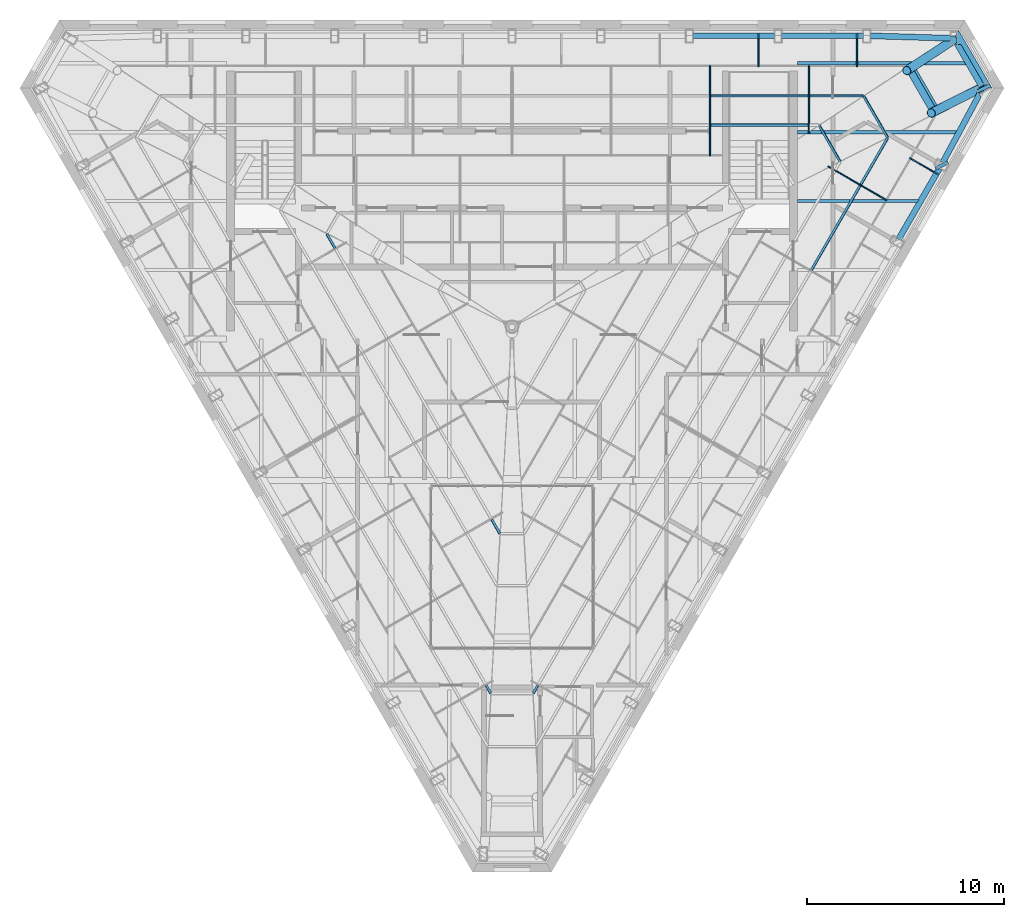
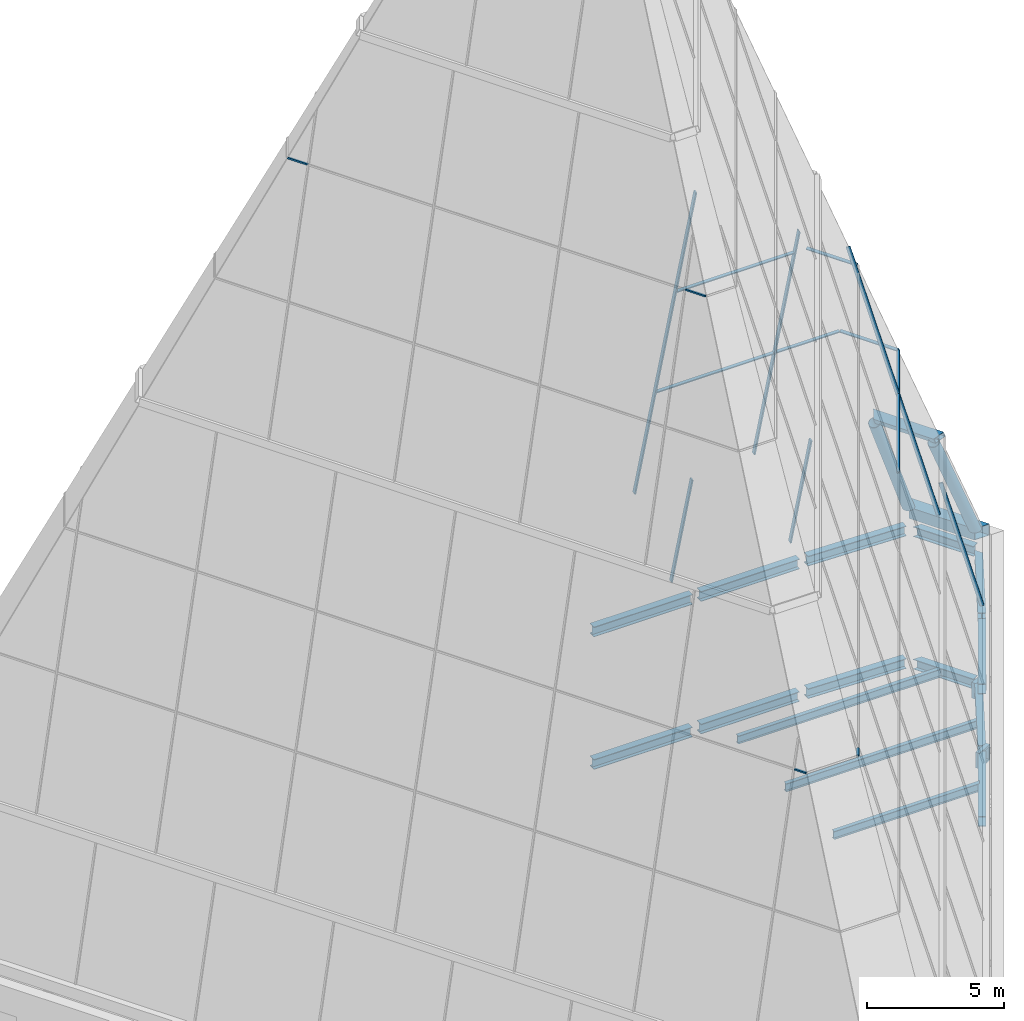
# One storey, part 23 of 36: 21 members, 17 beams, 7 elements without a shape of their own.
"""IFC4 building model written with IfcOpenShell, lengths in metres."""

from ifc_helpers import new_model, si_unit, direction, frame, origin, origin_2d, place, context, subcontext, project, spatial, rectangle, hollow_rectangle, hollow_circle, i_section, extrude, clip, halfspace, material, layer, layer_set, material_profile, profile_set, type_object, element, aggregate, save


model = new_model("IFC4")

# Units and contexts
model_context = context("Model", 3, precision=1e-05, world=origin(), true_north=direction((0.0, 1.0)))
body_context = subcontext(model_context, "Body", "Model", "MODEL_VIEW")
ifc_project = project(units=[si_unit("LENGTHUNIT", "METRE"), si_unit("AREAUNIT", "SQUARE_METRE"), si_unit("VOLUMEUNIT", "CUBIC_METRE"), si_unit("PLANEANGLEUNIT", "RADIAN"), si_unit("MASSUNIT", "GRAM", prefix="KILO")], contexts=[model_context])

# Site, building, storey
site_placement = place(None, origin())
site = spatial("IfcSite", under=ifc_project, at=site_placement, CompositionType="ELEMENT")
building_placement = place(site_placement, origin())
building = spatial("IfcBuilding", under=site, at=building_placement, Name="Njiva Tower", CompositionType="ELEMENT")
storey_placement = place(building_placement, frame((0.0, 0.0, 337.8)))
storey = spatial("IfcBuildingStorey", under=building, at=storey_placement, Name="L77", CompositionType="ELEMENT", Elevation=337.8)

# Beams
ifc_material_1 = material(Name="Steel S355 J2", Category="steel")
ifc_material_profile_1 = material_profile(ifc_material_1, hollow_rectangle(XDim=0.7, YDim=0.7, WallThickness=0.08, at=origin_2d()), Name="BOX 700x700x80")
ifc_profile_set_1 = profile_set([ifc_material_profile_1], Name="Steel S355 J2")
beam_type_1 = type_object("IfcBeamType", Name="B19 Column jog beam BOX 700x700x80", PredefinedType="BEAM", material=ifc_profile_set_1)
beam_1_placement = place(storey_placement, frame((21.875, 12.728, -0.55), z_axis=(-0.454010794093, 0.890996183408, 0.0), x_axis=(-0.890996183408, -0.454010794093, 0.0)))
element("IfcBeam", 1, at=beam_1_placement, inside=storey, type_object=beam_type_1, Name="Column jog beam CR-B033", PredefinedType="BEAM", context=body_context, shape_type="SweptSolid", body=[
    extrude(hollow_rectangle(XDim=0.7, YDim=0.7, WallThickness=0.08, at=origin_2d()), origin(), (0.0, 0.0, 1.0), 0.1762),
])
beam_2_placement = place(storey_placement, frame((23.974, 16.63, -0.55), z_axis=(-0.433646281728, 0.90108318281, 0.0), x_axis=(-0.90108318281, -0.433646281728, 0.0)))
element("IfcBeam", 2, at=beam_2_placement, inside=storey, type_object=beam_type_1, Name="Column jog beam CR-B034", PredefinedType="BEAM", context=body_context, shape_type="SweptSolid", body=[
    extrude(hollow_rectangle(XDim=0.7, YDim=0.7, WallThickness=0.08, at=origin_2d()), origin(), (0.0, 0.0, 1.0), 0.1776),
])
ifc_material_profile_2 = material_profile(ifc_material_1, i_section(OverallWidth=0.3, OverallDepth=0.44, WebThickness=0.0115, FlangeThickness=0.021, at=origin_2d()), Name="HEA 450")
ifc_profile_set_2 = profile_set([ifc_material_profile_2], Name="Steel S355 J2")
beam_type_2 = type_object("IfcBeamType", Name="B57 Short-span spandrel beam HEA 450", PredefinedType="SPANDREL", material=ifc_profile_set_2)
beam_3_placement = place(storey_placement, frame((22.277, 19.272, -0.42), z_axis=(-0.999544102072, 0.030192515853, 0.0), x_axis=(-0.030192515853, -0.999544102072, 0.0)))
element("IfcBeam", 3, at=beam_3_placement, inside=storey, type_object=beam_type_2, Name="Short-span spandrel beam CR-B116", PredefinedType="SPANDREL", context=body_context, shape_type="SweptSolid", body=[
    extrude(i_section(OverallWidth=0.3, OverallDepth=0.44, WebThickness=0.0115, FlangeThickness=0.021, at=origin_2d()), origin(), (0.0, 0.0, 1.0), 4.0739),
])
beam_4_placement = place(storey_placement, frame((17.851, 19.4, -0.42), z_axis=(-1.0, 0.0, 0.0), x_axis=(0.0, -1.0, 0.0)))
element("IfcBeam", 4, at=beam_4_placement, inside=storey, type_object=beam_type_2, Name="Short-span spandrel beam CR-B113", PredefinedType="SPANDREL", context=body_context, shape_type="SweptSolid", body=[
    extrude(i_section(OverallWidth=0.3, OverallDepth=0.44, WebThickness=0.0115, FlangeThickness=0.021, at=origin_2d()), origin(), (0.0, 0.0, 1.0), 4.156),
])
beam_5_placement = place(storey_placement, frame((13.345, 19.4, -0.42), z_axis=(-1.0, 0.0, 0.0), x_axis=(0.0, -1.0, 0.0)))
element("IfcBeam", 5, at=beam_5_placement, inside=storey, type_object=beam_type_2, Name="Short-span spandrel beam CR-B110", PredefinedType="SPANDREL", context=body_context, shape_type="SweptSolid", body=[
    extrude(i_section(OverallWidth=0.3, OverallDepth=0.44, WebThickness=0.0115, FlangeThickness=0.021, at=origin_2d()), origin(), (0.0, 0.0, 1.0), 4.157),
])
beam_6_placement = place(storey_placement, frame((19.641, 9.054, -0.42), z_axis=(0.500021003115, 0.866013277291, 0.0), x_axis=(-0.866013277291, 0.500021003115, 0.0)))
element("IfcBeam", 6, at=beam_6_placement, inside=storey, type_object=beam_type_2, Name="Short-span spandrel beam CR-B117", PredefinedType="SPANDREL", context=body_context, shape_type="SweptSolid", body=[
    extrude(i_section(OverallWidth=0.3, OverallDepth=0.44, WebThickness=0.0115, FlangeThickness=0.021, at=origin_2d()), origin(), (0.0, 0.0, 1.0), 4.1558),
])
beam_7_placement = place(storey_placement, frame((21.892, 12.962, -0.42), z_axis=(0.473796152725, 0.880634547166, 0.0), x_axis=(-0.880634547166, 0.473796152725, 0.0)))
element("IfcBeam", 7, at=beam_7_placement, inside=storey, type_object=beam_type_2, Name="Short-span spandrel beam CR-B118", PredefinedType="SPANDREL", context=body_context, shape_type="Clipping", body=[
    clip(extrude(i_section(OverallWidth=0.3, OverallDepth=0.44, WebThickness=0.0115, FlangeThickness=0.021, at=origin_2d()), origin(), (0.0, 0.0, 1.0), 4.0408), halfspace(frame((-0.0264, 0.0, 3.912), z_axis=(-0.525755767779, 0.0, 0.850635569822), x_axis=(0.0, 1.0, 0.0)), False)),
])
beam_8_placement = place(storey_placement, frame((23.864, 16.837, -0.42), z_axis=(-0.500074377092, 0.865982457891, 0.0), x_axis=(-0.865982457891, -0.500074377092, 0.0)))
element("IfcBeam", 8, at=beam_8_placement, inside=storey, type_object=beam_type_2, Name="Short-span spandrel beam CR-B119", PredefinedType="SPANDREL", context=body_context, shape_type="Clipping", body=[
    clip(extrude(i_section(OverallWidth=0.3, OverallDepth=0.44, WebThickness=0.0115, FlangeThickness=0.021, at=origin_2d()), origin(), (0.0, 0.0, 1.0), 2.5666), halfspace(frame((-0.0254, 0.0, 2.445), z_axis=(-0.500074377092, 0.0, 0.865982457891), x_axis=(0.0, 1.0, 0.0)), False)),
])
ifc_material_profile_3 = material_profile(ifc_material_1, i_section(OverallWidth=0.17, OverallDepth=0.36, WebThickness=0.008, FlangeThickness=0.0127, at=origin_2d()), Name="IPE 360")
ifc_profile_set_3 = profile_set([ifc_material_profile_3], Name="Steel S355 J2")
beam_type_3 = type_object("IfcBeamType", Name="B61 Floor beam to the core IPE 360", PredefinedType="BEAM", material=ifc_profile_set_3)
beam_9_placement = place(storey_placement, frame((14.5, 11.0, -0.38), z_axis=(1.0, 0.0, 0.0), x_axis=(0.0, 1.0, 0.0)))
element("IfcBeam", 9, at=beam_9_placement, inside=storey, type_object=beam_type_3, Name="Floor beam to the core CR-B006", PredefinedType="BEAM", context=body_context, shape_type="Clipping", body=[
    clip(extrude(i_section(OverallWidth=0.17, OverallDepth=0.36, WebThickness=0.008, FlangeThickness=0.0127, at=origin_2d()), origin(), (0.0, 0.0, 1.0), 6.218), halfspace(frame((-0.025, 0.0, 6.1347), z_axis=(-0.499998009787, 0.0, 0.866026552831), x_axis=(0.0, 1.0, 0.0)), False)),
])
beam_10_placement = place(storey_placement, frame((14.5, 14.5, -0.38), z_axis=(1.0, 0.0, 0.0), x_axis=(0.0, 1.0, 0.0)))
element("IfcBeam", 10, at=beam_10_placement, inside=storey, type_object=beam_type_3, Name="Floor beam to the core CR-B007", PredefinedType="BEAM", context=body_context, shape_type="Clipping", body=[
    clip(extrude(i_section(OverallWidth=0.17, OverallDepth=0.36, WebThickness=0.008, FlangeThickness=0.0127, at=origin_2d()), origin(), (0.0, 0.0, 1.0), 8.172), halfspace(frame((-0.0237, 0.0, 8.0934), z_axis=(-0.473769423091, 0.0, 0.880648927634), x_axis=(0.0, 1.0, 0.0)), False)),
])
beam_11_placement = place(storey_placement, frame((14.5, 18.0, -0.38), z_axis=(1.0, 0.0, 0.0), x_axis=(0.0, 1.0, 0.0)))
element("IfcBeam", 11, at=beam_11_placement, inside=storey, type_object=beam_type_3, Name="Floor beam to the core CR-B008", PredefinedType="BEAM", context=body_context, shape_type="Clipping", body=[
    clip(extrude(i_section(OverallWidth=0.17, OverallDepth=0.36, WebThickness=0.008, FlangeThickness=0.0127, at=origin_2d()), origin(), (0.0, 0.0, 1.0), 8.646), halfspace(frame((0.025, 0.0, 8.5628), z_axis=(0.499998009787, 0.0, 0.866026552831), x_axis=(0.0, 1.0, 0.0)), False)),
])
ifc_material_profile_4 = material_profile(ifc_material_1, i_section(OverallWidth=0.3, OverallDepth=0.44, WebThickness=0.0115, FlangeThickness=0.021, at=origin_2d()), Name="HEA 450")
ifc_profile_set_4 = profile_set([ifc_material_profile_4], Name="Steel S355 J2")
beam_type_4 = type_object("IfcBeamType", Name="B64 Roof edge beam HEA 450", PredefinedType="SPANDREL", material=ifc_profile_set_4)
beam_12_placement = place(storey_placement, frame((22.277, 19.272, 5.48), z_axis=(-0.999544102072, 0.030192515853, 0.0), x_axis=(-0.030192515853, -0.999544102072, 0.0)))
element("IfcBeam", 12, at=beam_12_placement, inside=storey, type_object=beam_type_4, Name="Roof edge beam CR-B083", PredefinedType="SPANDREL", context=body_context, shape_type="SweptSolid", body=[
    extrude(i_section(OverallWidth=0.3, OverallDepth=0.44, WebThickness=0.0115, FlangeThickness=0.021, at=origin_2d()), origin(), (0.0, 0.0, 1.0), 4.0739),
])
beam_13_placement = place(storey_placement, frame((17.851, 19.4, 5.48), z_axis=(-1.0, 0.0, 0.0), x_axis=(0.0, -1.0, 0.0)))
element("IfcBeam", 13, at=beam_13_placement, inside=storey, type_object=beam_type_4, Name="Roof edge beam CR-B080", PredefinedType="SPANDREL", context=body_context, shape_type="SweptSolid", body=[
    extrude(i_section(OverallWidth=0.3, OverallDepth=0.44, WebThickness=0.0115, FlangeThickness=0.021, at=origin_2d()), origin(), (0.0, 0.0, 1.0), 4.156),
])
beam_14_placement = place(storey_placement, frame((13.345, 19.4, 5.48), z_axis=(-1.0, 0.0, 0.0), x_axis=(0.0, -1.0, 0.0)))
element("IfcBeam", 14, at=beam_14_placement, inside=storey, type_object=beam_type_4, Name="Roof edge beam CR-B077", PredefinedType="SPANDREL", context=body_context, shape_type="SweptSolid", body=[
    extrude(i_section(OverallWidth=0.3, OverallDepth=0.44, WebThickness=0.0115, FlangeThickness=0.021, at=origin_2d()), origin(), (0.0, 0.0, 1.0), 4.157),
])
beam_15_placement = place(storey_placement, frame((19.641, 9.054, 5.48), z_axis=(0.500021003115, 0.866013277291, 0.0), x_axis=(-0.866013277291, 0.500021003115, 0.0)))
element("IfcBeam", 15, at=beam_15_placement, inside=storey, type_object=beam_type_4, Name="Roof edge beam CR-B084", PredefinedType="SPANDREL", context=body_context, shape_type="SweptSolid", body=[
    extrude(i_section(OverallWidth=0.3, OverallDepth=0.44, WebThickness=0.0115, FlangeThickness=0.021, at=origin_2d()), origin(), (0.0, 0.0, 1.0), 4.1558),
])
beam_16_placement = place(storey_placement, frame((21.892, 12.962, 5.48), z_axis=(0.473796152725, 0.880634547166, 0.0), x_axis=(-0.880634547166, 0.473796152725, 0.0)))
element("IfcBeam", 16, at=beam_16_placement, inside=storey, type_object=beam_type_4, Name="Roof edge beam CR-B085", PredefinedType="SPANDREL", context=body_context, shape_type="Clipping", body=[
    clip(extrude(i_section(OverallWidth=0.3, OverallDepth=0.44, WebThickness=0.0115, FlangeThickness=0.021, at=origin_2d()), origin(), (0.0, 0.0, 1.0), 4.0408), halfspace(frame((-0.0264, 0.0, 3.912), z_axis=(-0.525755767779, 0.0, 0.850635569822), x_axis=(0.0, 1.0, 0.0)), False)),
])
beam_17_placement = place(storey_placement, frame((23.864, 16.837, 5.48), z_axis=(-0.500074377092, 0.865982457891, 0.0), x_axis=(-0.865982457891, -0.500074377092, 0.0)))
element("IfcBeam", 17, at=beam_17_placement, inside=storey, type_object=beam_type_4, Name="Roof edge beam CR-B086", PredefinedType="SPANDREL", context=body_context, shape_type="Clipping", body=[
    clip(extrude(i_section(OverallWidth=0.3, OverallDepth=0.44, WebThickness=0.0115, FlangeThickness=0.021, at=origin_2d()), origin(), (0.0, 0.0, 1.0), 2.5666), halfspace(frame((-0.0254, 0.0, 2.445), z_axis=(-0.500074377092, 0.0, 0.865982457891), x_axis=(0.0, 1.0, 0.0)), False)),
])

# Members
ifc_material_2 = material(Name="Steel S355 J2H", Category="steel")
ifc_material_profile_5 = material_profile(ifc_material_2, hollow_rectangle(XDim=0.55, YDim=0.5, WallThickness=0.016, at=origin_2d()), Name="BOX 500x550x16")
ifc_profile_set_5 = profile_set([ifc_material_profile_5], Name="Steel S355 J2H")
member_type_1 = type_object("IfcMemberType", Name="CF1 Crown frame base ring RHS 500x550x16", PredefinedType="USERDEFINED", material=ifc_profile_set_5)
member_1_placement = place(storey_placement, frame((24.3762, 16.2163, 6.25), z_axis=(-0.499995403744, 0.866028057418, 0.0), x_axis=(-0.866028057418, -0.499995403744, 0.0)))
element("IfcMember", 18, at=member_1_placement, inside=storey, type_object=member_type_1, Name="Crown frame base ring", ObjectType="CROWN FRAME", PredefinedType="USERDEFINED", context=body_context, shape_type="Clipping", body=[
    clip(clip(extrude(hollow_rectangle(XDim=0.55, YDim=0.5, WallThickness=0.016, at=origin_2d()), origin(), (0.0, 0.0, 1.0), 4.2762), halfspace(frame((0.0, 0.0, 0.6), z_axis=(0.499995403744, 0.0, -0.866028057418), x_axis=(0.0, -1.0, 0.0)), False)), halfspace(frame((0.0, 0.0, 3.6762), z_axis=(0.500004596335, 0.0, 0.866022750073), x_axis=(0.0, 1.0, 0.0)), False)),
])
ifc_material_profile_6 = material_profile(ifc_material_2, hollow_circle(Radius=0.2285, WallThickness=0.016, at=origin_2d()), Name="CHS 457x16")
ifc_profile_set_6 = profile_set([ifc_material_profile_6], Name="Steel S355 J2H")
member_type_2 = type_object("IfcMemberType", Name="CF2 Crown frame hip CHS 457x16", PredefinedType="USERDEFINED", material=ifc_profile_set_6)
member_2_placement = place(storey_placement, frame((22.4161, 19.1775, 6.3871), z_axis=(-0.376211577227, -0.246847484375, 0.89304600588), x_axis=(0.548592186311, -0.836090074764, 0.0)))
element("IfcMember", 19, at=member_2_placement, inside=storey, type_object=member_type_2, Name="Crown frame hip", ObjectType="CROWN FRAME", PredefinedType="USERDEFINED", context=body_context, shape_type="Clipping", body=[
    clip(extrude(hollow_circle(Radius=0.2285, WallThickness=0.016, at=origin_2d()), origin(), (0.0, 0.0, 1.0), 6.2707), halfspace(frame((0.0, 0.0508, 0.1008), z_axis=(0.0, -0.44996536687, -0.89304600588), x_axis=(0.0, -0.89304600588, 0.44996536687)), False)),
])
member_3_placement = place(storey_placement, frame((23.8226, 16.7415, 6.3871), z_axis=(-0.401899144391, -0.202384812375, 0.8930383337), x_axis=(0.44976342378, -0.893147727215, 0.0)))
element("IfcMember", 20, at=member_3_placement, inside=storey, type_object=member_type_2, Name="Crown frame hip", ObjectType="CROWN FRAME", PredefinedType="USERDEFINED", context=body_context, shape_type="Clipping", body=[
    clip(extrude(hollow_circle(Radius=0.2285, WallThickness=0.016, at=origin_2d()), origin(), (0.0, 0.0, 1.0), 6.2707), halfspace(frame((0.0, 0.0508, 0.1008), z_axis=(0.0, -0.449980593517, -0.8930383337), x_axis=(0.0, -0.8930383337, 0.449980593517)), False)),
])
ifc_material_profile_7 = material_profile(ifc_material_2, hollow_rectangle(XDim=0.3, YDim=0.4, WallThickness=0.016, at=origin_2d()), Name="BOX 400x300x16")
ifc_profile_set_7 = profile_set([ifc_material_profile_7], Name="Steel S355 J2H")
member_type_3 = type_object("IfcMemberType", Name="CF3 Crown frame ring RHS 400x300x16", PredefinedType="USERDEFINED", material=ifc_profile_set_7)
member_4_placement = place(storey_placement, frame((21.8561, 14.9472, 12.1), z_axis=(-0.500001126807, 0.866024753221, 0.0), x_axis=(-0.389180420882, -0.224694095923, 0.893337093856)))
element("IfcMember", 21, at=member_4_placement, inside=storey, type_object=member_type_3, Name="Crown frame ring", ObjectType="CROWN FRAME", PredefinedType="USERDEFINED", context=body_context, shape_type="Clipping", body=[
    clip(clip(extrude(hollow_rectangle(XDim=0.3, YDim=0.4, WallThickness=0.016, at=origin_2d()), origin(), (0.0, 0.0, 1.0), 3.9542), halfspace(frame((0.0, 0.0, 0.6), z_axis=(0.022605012754, -0.474209248397, -0.880121924584), x_axis=(0.0, -0.880346876054, 0.474330452135)), False)), halfspace(frame((0.0, 0.0, 3.3542), z_axis=(0.022603983083, -0.474207201698, 0.880123053786), x_axis=(0.0, 0.880347985044, 0.474328393867)), False)),
])

# Curtain wall, members
ifc_material_3 = material(Name="Glazed curtain wall", Category="glass")
ifc_layer_1 = layer(ifc_material_3, 0.16)
ifc_layer_set_1 = layer_set([ifc_layer_1], Name="Glazed curtain wall")
curtain_wall_type_1 = type_object("IfcCurtainWallType", Name="CW2 Crown glazing, faceted point, long faces", PredefinedType="NOTDEFINED", material=ifc_layer_set_1)
curtain_wall_1_placement = place(storey_placement, origin())
curtain_wall_1 = element("IfcCurtainWall", 22, at=curtain_wall_1_placement, inside=storey, type_object=curtain_wall_type_1, Name="Crown glazing face N tier 1", PredefinedType="NOTDEFINED")
ifc_material_4 = material(Name="Aluminium mullion", Category="aluminium")
ifc_material_profile_8 = material_profile(ifc_material_4, rectangle(XDim=0.16, YDim=0.06, at=origin_2d()), Name="RECT 160x60")
ifc_profile_set_8 = profile_set([ifc_material_profile_8], Name="Aluminium mullion")
member_type_4 = type_object("IfcMemberType", Name="CW2-M Crown glazing mullion 160x60", PredefinedType="MULLION", material=ifc_profile_set_8)
member_5_placement = place(storey_placement, frame((17.5296, 19.4, 6.5), z_axis=(0.0, -0.266431706022, 0.963853799093), x_axis=(0.0, 0.963853799093, 0.266431706022)))
member_5 = element("IfcMember", 23, at=member_5_placement, type_object=member_type_4, Name="CW2-11 mullion 1", PredefinedType="MULLION", context=body_context, shape_type="Clipping", body=[
    clip(clip(extrude(rectangle(XDim=0.16, YDim=0.06, at=origin_2d()), origin(), (0.0, 0.0, 1.0), 5.66), halfspace(frame((0.08, 0.0, 0.0), z_axis=(-3.342924e-06, 0.0, -0.999999999994), x_axis=(0.0, -1.0, 0.0)), False)), halfspace(frame((0.08, 0.0, 5.66), z_axis=(3.342924e-06, 0.0, 0.999999999994), x_axis=(0.0, 1.0, 0.0)), False)),
])
member_6_placement = place(storey_placement, frame((12.5212, 19.4, 6.5), z_axis=(0.0, -0.266431706022, 0.963853799093), x_axis=(0.0, 0.963853799093, 0.266431706022)))
member_6 = element("IfcMember", 24, at=member_6_placement, type_object=member_type_4, Name="CW2-11 mullion 2", PredefinedType="MULLION", context=body_context, shape_type="Clipping", body=[
    clip(clip(extrude(rectangle(XDim=0.16, YDim=0.06, at=origin_2d()), origin(), (0.0, 0.0, 1.0), 5.66), halfspace(frame((0.08, 0.0, 0.0), z_axis=(-3.342924e-06, 0.0, -0.999999999994), x_axis=(0.0, -1.0, 0.0)), False)), halfspace(frame((0.08, 0.0, 5.66), z_axis=(3.342924e-06, 0.0, 0.999999999994), x_axis=(0.0, 1.0, 0.0)), False)),
])
aggregate(curtain_wall_1, [member_5, member_6])

curtain_wall_2_placement = place(storey_placement, origin())
curtain_wall_2 = element("IfcCurtainWall", 25, at=curtain_wall_2_placement, inside=storey, type_object=curtain_wall_type_1, Name="Crown glazing face N tier 2", PredefinedType="NOTDEFINED")
member_7_placement = place(storey_placement, frame((15.0886, 17.8121, 12.2446), z_axis=(0.0, -0.26643446501, 0.96385303644), x_axis=(0.0, 0.96385303644, 0.26643446501)))
member_7 = element("IfcMember", 26, at=member_7_placement, type_object=member_type_4, Name="CW2-12 mullion 1", PredefinedType="MULLION", context=body_context, shape_type="Clipping", body=[
    clip(clip(extrude(rectangle(XDim=0.16, YDim=0.06, at=origin_2d()), origin(), (0.0, 0.0, 1.0), 12.3865), halfspace(frame((0.08, 0.0, 0.0), z_axis=(-6.20538e-06, 0.0, -0.999999999981), x_axis=(0.0, -1.0, 0.0)), False)), halfspace(frame((0.0801, 0.0, 12.3866), z_axis=(2.334694e-06, -0.926532402811, 0.376214973833), x_axis=(0.0, 0.376214973834, 0.926532402813)), False)),
])
member_8_placement = place(storey_placement, frame((10.059, 17.8121, 12.2446), z_axis=(0.0, -0.26643162411, 0.963853821735), x_axis=(0.0, 0.963853821735, 0.26643162411)))
member_8 = element("IfcMember", 27, at=member_8_placement, type_object=member_type_4, Name="CW2-12 mullion 2", PredefinedType="MULLION", context=body_context, shape_type="Clipping", body=[
    clip(clip(extrude(rectangle(XDim=0.16, YDim=0.06, at=origin_2d()), origin(), (0.0, 0.0, 1.0), 16.715), halfspace(frame((0.08, 0.0, 0.0), z_axis=(-3.25794e-06, 0.0, -0.999999999995), x_axis=(0.0, -1.0, 0.0)), False)), halfspace(frame((0.08, 0.0, 16.715), z_axis=(3.25794e-06, 0.0, 0.999999999995), x_axis=(0.0, 1.0, 0.0)), False)),
])

# Curtain wall, member
curtain_wall_3_placement = place(storey_placement, origin())
curtain_wall_3 = element("IfcCurtainWall", 28, at=curtain_wall_3_placement, inside=storey, type_object=curtain_wall_type_1, Name="Crown glazing face SE tier 1", PredefinedType="NOTDEFINED")
member_9_placement = place(storey_placement, frame((21.572, 12.3984, 6.5), z_axis=(-0.230742261373, 0.133215670042, 0.963852475264), x_axis=(0.834726112418, -0.481916913295, 0.266436495113)))
member_9 = element("IfcMember", 29, at=member_9_placement, type_object=member_type_4, Name="CW2-51 mullion 8", PredefinedType="MULLION", context=body_context, shape_type="Clipping", body=[
    clip(clip(extrude(rectangle(XDim=0.16, YDim=0.06, at=origin_2d()), origin(), (0.0, 0.0, 1.0), 5.66), halfspace(frame((0.08, 0.0, 0.0), z_axis=(-8.311998e-06, -2.976376e-06, -0.999999999961), x_axis=(0.0, -0.999999999996, 2.976376e-06)), False)), halfspace(frame((0.08, 0.0, 5.66), z_axis=(8.311998e-06, 2.976376e-06, 0.999999999961), x_axis=(0.0, 0.999999999996, -2.976376e-06)), False)),
])
aggregate(curtain_wall_3, [member_9])

curtain_wall_4_placement = place(storey_placement, origin())
curtain_wall_4 = element("IfcCurtainWall", 30, at=curtain_wall_4_placement, inside=storey, type_object=curtain_wall_type_1, Name="Crown glazing face SE tier 2", PredefinedType="NOTDEFINED")
member_10_placement = place(storey_placement, frame((18.9763, 11.0783, 12.2446), z_axis=(-0.230734655493, 0.133217374048, 0.963854060533), x_axis=(0.834717937281, -0.481934243634, 0.266430760225)))
member_10 = element("IfcMember", 31, at=member_10_placement, type_object=member_type_4, Name="CW2-52 mullion 7", PredefinedType="MULLION", context=body_context, shape_type="Clipping", body=[
    clip(clip(extrude(rectangle(XDim=0.16, YDim=0.06, at=origin_2d()), origin(), (0.0, 0.0, 1.0), 12.3865), halfspace(frame((0.08, 0.0, 0.0), z_axis=(-2.362031e-06, 2.302167e-06, -0.999999999995), x_axis=(0.0, -0.999999999997, -2.302167e-06)), False)), halfspace(frame((0.08, 0.0, 12.3866), z_axis=(-6.829402e-06, 0.926531536476, 0.376217107359), x_axis=(0.0, 0.376217107367, -0.926531536497)), False)),
])

# Member
ifc_material_5 = material(Name="Aluminium transom", Category="aluminium")
ifc_material_profile_9 = material_profile(ifc_material_5, rectangle(XDim=0.12, YDim=0.06, at=origin_2d()), Name="RECT 120x60")
ifc_profile_set_9 = profile_set([ifc_material_profile_9], Name="Aluminium transom")
member_type_5 = type_object("IfcMemberType", Name="CW2-T Crown glazing transom 120x60", PredefinedType="USERDEFINED", material=ifc_profile_set_9)
member_11_placement = place(storey_placement, frame((17.8557, 16.3469, 17.6202), z_axis=(-1.0, 0.0, 0.0), x_axis=(0.0, 0.963854689739, 0.266428483965)))
member_11 = element("IfcMember", 32, at=member_11_placement, type_object=member_type_5, Name="CW2-12 transom 1.1", ObjectType="TRANSOM", PredefinedType="USERDEFINED", context=body_context, shape_type="Clipping", body=[
    clip(extrude(rectangle(XDim=0.12, YDim=0.06, at=origin_2d()), origin(), (0.0, 0.0, 1.0), 2.7371), halfspace(frame((0.06, 0.0, 0.0), z_axis=(1.51e-10, -0.37621497384, -0.926532402811), x_axis=(0.0, -0.926532402811, 0.37621497384)), False)),
])

member_12_placement = place(storey_placement, frame((15.0586, 16.3469, 17.6202), z_axis=(-1.0, 0.0, 0.0), x_axis=(0.0, 0.963854689739, 0.266428483965)))
member_12 = element("IfcMember", 33, at=member_12_placement, type_object=member_type_5, Name="CW2-12 transom 2.1", ObjectType="TRANSOM", PredefinedType="USERDEFINED", context=body_context, shape_type="SweptSolid", body=[
    extrude(rectangle(XDim=0.12, YDim=0.06, at=origin_2d()), origin(), (0.0, 0.0, 1.0), 4.9696),
])

member_13_placement = place(storey_placement, frame((15.0586, 14.8625, 22.9905), z_axis=(-1.0, 0.0, 0.0), x_axis=(0.0, 0.963854689739, 0.266428483965)))
member_13 = element("IfcMember", 34, at=member_13_placement, type_object=member_type_5, Name="CW2-12 transom 2.2", ObjectType="TRANSOM", PredefinedType="USERDEFINED", context=body_context, shape_type="SweptSolid", body=[
    extrude(rectangle(XDim=0.12, YDim=0.06, at=origin_2d()), origin(), (0.0, 0.0, 1.0), 4.9696),
])

aggregate(curtain_wall_2, [member_7, member_8, member_11, member_12, member_13])

# Curtain wall, member
curtain_wall_5_placement = place(storey_placement, origin())
curtain_wall_5 = element("IfcCurtainWall", 35, at=curtain_wall_5_placement, inside=storey, type_object=curtain_wall_type_1, Name="Crown glazing face SW tier 2", PredefinedType="NOTDEFINED")
member_14_placement = place(storey_placement, frame((-1.3183, -13.607, 22.9905), z_axis=(0.499989842173, -0.866031268329, 0.0), x_axis=(-0.83472829944, -0.4819175542, 0.266428483965)))
member_14 = element("IfcMember", 36, at=member_14_placement, type_object=member_type_5, Name="CW2-32 transom 8.2", ObjectType="TRANSOM", PredefinedType="USERDEFINED", context=body_context, shape_type="Clipping", body=[
    clip(extrude(rectangle(XDim=0.12, YDim=0.06, at=origin_2d()), origin(), (0.0, 0.0, 1.0), 0.4748), halfspace(frame((0.06, 0.0, 0.4748), z_axis=(-1.047477e-05, -0.376217869628, 0.926531226923), x_axis=(0.0, 0.926531226974, 0.376217869649)), False)),
])
aggregate(curtain_wall_5, [member_14])

# Curtain wall, members
curtain_wall_6_placement = place(storey_placement, origin())
curtain_wall_6 = element("IfcCurtainWall", 37, at=curtain_wall_6_placement, inside=storey, type_object=curtain_wall_type_1, Name="Crown glazing face SW tier 3", PredefinedType="NOTDEFINED")
member_15_placement = place(storey_placement, frame((-9.4139, 9.3341, 39.1238), z_axis=(0.500089443651, -0.865973757309, 0.0), x_axis=(-0.834672867178, -0.482013555555, 0.266428483949)))
member_15 = element("IfcMember", 38, at=member_15_placement, type_object=member_type_5, Name="CW2-33 transom 1.2", ObjectType="TRANSOM", PredefinedType="USERDEFINED", context=body_context, shape_type="Clipping", body=[
    clip(extrude(rectangle(XDim=0.12, YDim=0.06, at=origin_2d()), origin(), (0.0, 0.0, 1.0), 0.8412), halfspace(frame((0.0599, 0.0, 0.0), z_axis=(-9.2236762e-05, -0.376240470028, -0.926522045181), x_axis=(0.0, -0.926522049122, 0.376240471628)), False)),
])
member_16_placement = place(storey_placement, frame((-1.0377, -5.1738, 39.1238), z_axis=(0.500037969364, -0.866003481052, 0.0), x_axis=(-0.834701516546, -0.481963941821, 0.266428483949)))
member_16 = element("IfcMember", 39, at=member_16_placement, type_object=member_type_5, Name="CW2-33 transom 5.2", ObjectType="TRANSOM", PredefinedType="USERDEFINED", context=body_context, shape_type="Clipping", body=[
    clip(extrude(rectangle(XDim=0.12, YDim=0.06, at=origin_2d()), origin(), (0.0, 0.0, 1.0), 0.8413), halfspace(frame((0.06, 0.0, 0.8413), z_axis=(3.9154374e-05, -0.37620415115, 0.926536796422), x_axis=(0.0, 0.926536797133, 0.376204151438)), False)),
])
aggregate(curtain_wall_6, [member_15, member_16])

# Member
member_17_placement = place(storey_placement, frame((15.2076, 7.4812, 17.6202), z_axis=(0.499999986638, 0.866025411499, 0.0), x_axis=(0.834722654306, -0.481927331991, 0.266428483965)))
member_17 = element("IfcMember", 40, at=member_17_placement, type_object=member_type_5, Name="CW2-52 transom 7.1", ObjectType="TRANSOM", PredefinedType="USERDEFINED", context=body_context, shape_type="SweptSolid", body=[
    extrude(rectangle(XDim=0.12, YDim=0.06, at=origin_2d()), origin(), (0.0, 0.0, 1.0), 4.9696),
])

member_18_placement = place(storey_placement, frame((17.7224, 11.8369, 17.6202), z_axis=(0.499997585193, 0.866026797969, 0.0), x_axis=(0.834723990662, -0.481925017347, 0.266428483965)))
member_18 = element("IfcMember", 41, at=member_18_placement, type_object=member_type_5, Name="CW2-52 transom 8.1", ObjectType="TRANSOM", PredefinedType="USERDEFINED", context=body_context, shape_type="Clipping", body=[
    clip(extrude(rectangle(XDim=0.12, YDim=0.06, at=origin_2d()), origin(), (0.0, 0.0, 1.0), 2.7372), halfspace(frame((0.06, 0.0, 2.7372), z_axis=(2.489623e-06, -0.376214285785, 0.92653268219), x_axis=(0.0, 0.926532682192, 0.376214285786)), False)),
])

member_19_placement = place(storey_placement, frame((1.0809, -14.0182, 22.9905), z_axis=(0.499989842173, 0.866031268329, 0.0), x_axis=(0.83472829944, -0.4819175542, 0.266428483965)))
member_19 = element("IfcMember", 42, at=member_19_placement, type_object=member_type_5, Name="CW2-52 transom 1.2", ObjectType="TRANSOM", PredefinedType="USERDEFINED", context=body_context, shape_type="Clipping", body=[
    clip(extrude(rectangle(XDim=0.12, YDim=0.06, at=origin_2d()), origin(), (0.0, 0.0, 1.0), 0.4748), halfspace(frame((0.06, 0.0, 0.0), z_axis=(-1.047477e-05, -0.376217869628, -0.926531226923), x_axis=(0.0, -0.926531226974, 0.376217869649)), False)),
])

aggregate(curtain_wall_4, [member_10, member_17, member_18, member_19])

# Curtain wall, members
ifc_layer_2 = layer(ifc_material_3, 0.16)
ifc_layer_set_2 = layer_set([ifc_layer_2], Name="Glazed curtain wall")
curtain_wall_type_2 = type_object("IfcCurtainWallType", Name="CW3 Crown glazing, faceted point, corner faces", PredefinedType="NOTDEFINED", material=ifc_layer_set_2)
curtain_wall_7_placement = place(storey_placement, origin())
curtain_wall_7 = element("IfcCurtainWall", 43, at=curtain_wall_7_placement, inside=storey, type_object=curtain_wall_type_2, Name="Crown glazing face NE tier 2", PredefinedType="NOTDEFINED")
ifc_material_profile_10 = material_profile(ifc_material_5, rectangle(XDim=0.12, YDim=0.06, at=origin_2d()), Name="RECT 120x60")
ifc_profile_set_10 = profile_set([ifc_material_profile_10], Name="Aluminium transom")
member_type_6 = type_object("IfcMemberType", Name="CW3-T Crown corner glazing transom 120x60", PredefinedType="USERDEFINED", material=ifc_profile_set_10)
member_20_placement = place(storey_placement, frame((19.0914, 14.2267, 17.6203), z_axis=(-0.500008939514, 0.866020242492, 0.0), x_axis=(0.773648006649, 0.446676532927, 0.449387179101)))
member_20 = element("IfcMember", 44, at=member_20_placement, type_object=member_type_6, Name="CW3-62 transom 1.1", ObjectType="TRANSOM", PredefinedType="USERDEFINED", context=body_context, shape_type="Clipping", body=[
    clip(clip(extrude(rectangle(XDim=0.12, YDim=0.06, at=origin_2d()), origin(), (0.0, 0.0, 1.0), 2.4374), halfspace(frame((0.06, 0.0, 0.0001), z_axis=(-9.217821e-06, -0.02567952516, -0.999670226576), x_axis=(0.0, -0.999670226619, 0.025679525161)), False)), halfspace(frame((0.06, 0.0, 2.4374), z_axis=(9.218092e-06, -0.025670249974, 0.999670464794), x_axis=(0.0, 0.999670464836, 0.025670249975)), False)),
])
member_21_placement = place(storey_placement, frame((16.6714, 13.0081, 22.9977), z_axis=(-0.499980071345, 0.866036909293, 0.0), x_axis=(0.77366289572, 0.446650743921, 0.449387179101)))
member_21 = element("IfcMember", 45, at=member_21_placement, type_object=member_type_6, Name="CW3-62 transom 1.2", ObjectType="TRANSOM", PredefinedType="USERDEFINED", context=body_context, shape_type="Clipping", body=[
    clip(clip(extrude(rectangle(XDim=0.12, YDim=0.06, at=origin_2d()), origin(), (0.0, 0.0, 1.0), 2.1281), halfspace(frame((0.06, 0.0001, 0.0), z_axis=(2.0550834e-05, -0.025664550239, -0.999670610971), x_axis=(0.0, -0.999670611182, 0.025664550244)), False)), halfspace(frame((0.06, 0.0, 2.1281), z_axis=(-2.055056e-05, -0.025685224893, 0.999670079976), x_axis=(0.0, 0.999670080187, 0.025685224898)), False)),
])
aggregate(curtain_wall_7, [member_20, member_21])

save(model, "model.ifc")
